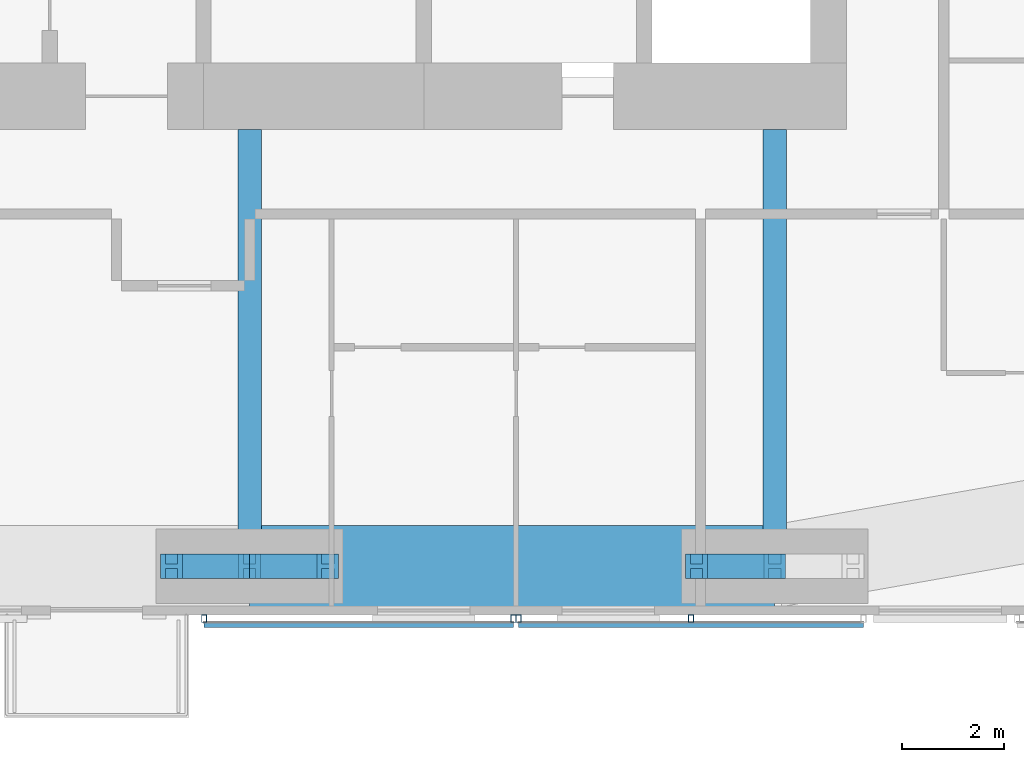
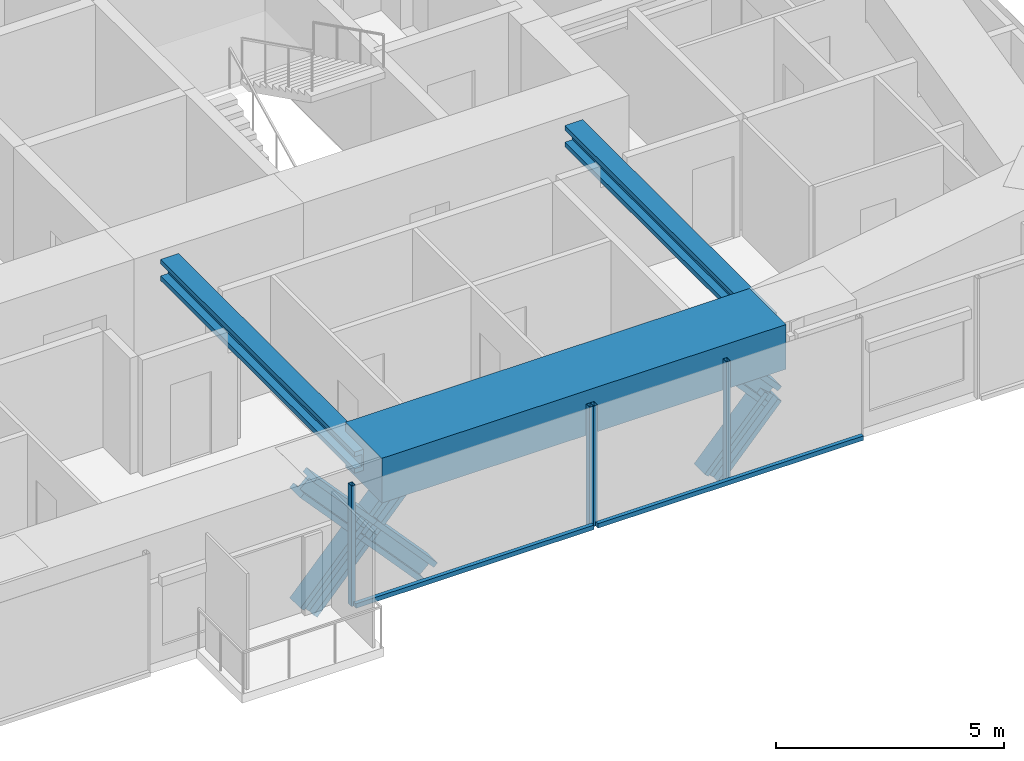
# One storey, part 4 of 23: 12 members, 3 beams, 2 elements without a shape of their own.
"""IFC4 building model written with IfcOpenShell, lengths in metres."""

from ifc_helpers import new_model, si_unit, direction, frame, origin, origin_2d, place, context, subcontext, project, spatial, rectangle, hollow_rectangle, i_section, extrude, material, material_profile, profile_set, type_object, element, aggregate, save


model = new_model("IFC4")

# Units and contexts
model_context = context("Model", 3, precision=1e-05, world=origin(), true_north=direction((0.0, 1.0)))
body_context = subcontext(model_context, "Body", "Model", "MODEL_VIEW")
ifc_project = project(units=[si_unit("LENGTHUNIT", "METRE"), si_unit("AREAUNIT", "SQUARE_METRE"), si_unit("VOLUMEUNIT", "CUBIC_METRE"), si_unit("PLANEANGLEUNIT", "RADIAN"), si_unit("MASSUNIT", "GRAM", prefix="KILO")], contexts=[model_context])

# Site, building, storey
site_placement = place(None, origin())
site = spatial("IfcSite", under=ifc_project, at=site_placement, CompositionType="ELEMENT")
building_placement = place(site_placement, origin())
building = spatial("IfcBuilding", under=site, at=building_placement, Name="Jalousie Tower", CompositionType="ELEMENT")
storey_placement = place(building_placement, frame((0.0, 0.0, 197.89990234375)))
storey = spatial("IfcBuildingStorey", under=building, at=storey_placement, Name="L54", CompositionType="ELEMENT", Elevation=197.89990234375)

# Beams
ifc_material_1 = material(Name="Steel ASTM A992 Grade 50", Category="steel")
ifc_material_profile_1 = material_profile(ifc_material_1, i_section(OverallWidth=0.45458984375, OverallDepth=0.569091796875, WebThickness=0.077880859375, FlangeThickness=0.124755859375, at=origin_2d()), Name="W14X730")
ifc_profile_set_1 = profile_set([ifc_material_profile_1], Name="Steel ASTM A992 Grade 50")
beam_type_1 = type_object("IfcBeamType", Name="LEAN COLLECTOR W14X730", PredefinedType="BEAM", material=ifc_profile_set_1)
for number, where, z_axis, x_axis, name in (
    (1, (32.5, 0.949951171875, 2.82568359375), (0.0, 1.0, 0.0), (-1.0, 0.0, 0.0), "Lean collector under L55"),
    (2, (42.75, 0.949951171875, 2.82568359375), (0.0, 1.0, 0.0), (-1.0, 0.0, 0.0), "Lean collector under L55"),
):
    element("IfcBeam", number, at=place(storey_placement, frame(where, z_axis=z_axis, x_axis=x_axis)), inside=storey, type_object=beam_type_1, Name=name, PredefinedType="BEAM", context=body_context, shape_type="SweptSolid", body=[
        extrude(i_section(OverallWidth=0.45458984375, OverallDepth=0.569091796875, WebThickness=0.077880859375, FlangeThickness=0.124755859375, at=origin_2d()), origin(), (0.0, 0.0, 1.0), 8.525146484375),
    ])

# Members
ifc_material_2 = material(Name="Steel ASTM A992 Grade 50", Category="steel")
ifc_material_profile_2 = material_profile(ifc_material_2, i_section(OverallWidth=0.472412109375, OverallDepth=0.5791015625, WebThickness=0.094970703125, FlangeThickness=0.1298828125, at=origin_2d()), Name="W14X808")
ifc_profile_set_2 = profile_set([ifc_material_profile_2], Name="Steel ASTM A992 Grade 50")
member_type_1 = type_object("IfcMemberType", Name="PERIMETER BRACE W14X808", PredefinedType="BRACE", material=ifc_profile_set_2)
for number, where, z_axis, x_axis, name in (
    (3, (30.97509765625, 0.949951171875, -0.599853515625), (0.673187629365, 0.0, 0.739471713908), (0.0, 1.0, 0.0), "Perimeter brace 03 L54 part 1"),
    (4, (32.5, 0.949951171875, 1.0751953125), (0.673241284601, 0.0, 0.739422864611), (0.0, 1.0, 0.0), "Perimeter brace 03 L54 part 2"),
    (5, (34.02490234375, 0.949951171875, -0.599853515625), (-0.673187629365, 0.0, 0.739471713908), (0.0, -1.0, 0.0), "Perimeter brace 03 L54 part 3"),
    (6, (32.5, 0.949951171875, 1.0751953125), (-0.673241284601, 0.0, 0.739422864611), (0.0, -1.0, 0.0), "Perimeter brace 03 L54 part 4"),
    (7, (41.22509765625, 0.949951171875, -0.599853515625), (0.673187629365, 0.0, 0.739471713908), (0.0, 1.0, 0.0), "Perimeter brace 04 L54 part 1"),
    (8, (42.75, 0.949951171875, 1.0751953125), (-0.673241284601, 0.0, 0.739422864611), (0.0, -1.0, 0.0), "Perimeter brace 04 L54 part 4"),
):
    element("IfcMember", number, at=place(storey_placement, frame(where, z_axis=z_axis, x_axis=x_axis)), inside=storey, type_object=member_type_1, Name=name, PredefinedType="BRACE", context=body_context, shape_type="SweptSolid", body=[
        extrude(i_section(OverallWidth=0.472412109375, OverallDepth=0.5791015625, WebThickness=0.094970703125, FlangeThickness=0.1298828125, at=origin_2d()), origin(), (0.0, 0.0, 1.0), 2.26513671875),
    ])

# Beam
ifc_material_3 = material(Name="Concrete f'c 40 MPa", Category="concrete")
ifc_material_profile_3 = material_profile(ifc_material_3, rectangle(XDim=1.60009765625, YDim=1.199951171875, at=origin_2d()), Name="RC 1600x1200")
ifc_profile_set_3 = profile_set([ifc_material_profile_3], Name="Concrete f'c 40 MPa")
beam_type_2 = type_object("IfcBeamType", Name="RC BEAM 1600x1200", PredefinedType="BEAM", material=ifc_profile_set_3)
beam_placement = place(storey_placement, frame((32.5, 0.949951171875, 2.75), z_axis=(1.0, 0.0, 0.0), x_axis=(0.0, 1.0, 0.0)))
element("IfcBeam", 9, at=beam_placement, inside=storey, type_object=beam_type_2, Name="Edge band beam 03-04 under L55", PredefinedType="BEAM", context=body_context, shape_type="SweptSolid", body=[
    extrude(rectangle(XDim=1.60009765625, YDim=1.199951171875, at=origin_2d()), origin(), (0.0, 0.0, 1.0), 10.25),
])

# Curtain wall, members
ifc_material_4 = material(Name="Perforated aluminium sheet", Category="aluminium")
curtain_wall_type = type_object("IfcCurtainWallType", Name="SOLAR SCREEN SS-1", PredefinedType="USERDEFINED", material=ifc_material_4)
curtain_wall_1_placement = place(storey_placement, origin())
curtain_wall_1 = element("IfcCurtainWall", 10, at=curtain_wall_1_placement, inside=storey, type_object=curtain_wall_type, Name="Solar screen L54", ObjectType="SOLAR SCREEN SS-1", PredefinedType="USERDEFINED")
ifc_material_5 = material(Name="Steel ASTM A500 Grade C", Category="steel")
ifc_material_profile_4 = material_profile(ifc_material_5, hollow_rectangle(XDim=0.1015625, YDim=0.15234375, WallThickness=0.00634765625, at=origin_2d()), Name="HSS6X4X1/4")
ifc_profile_set_4 = profile_set([ifc_material_profile_4], Name="Steel ASTM A500 Grade C")
member_type_2 = type_object("IfcMemberType", Name="SOLAR SCREEN SS-1 MULLION", PredefinedType="MULLION", material=ifc_profile_set_4)
member_1_placement = place(storey_placement, frame((31.612548828125, -0.0712890625, -0.119873046875), z_axis=(0.0, 0.0, 1.0), x_axis=(1.0, 0.0, 0.0)))
member_1 = element("IfcMember", 11, at=member_1_placement, type_object=member_type_2, Name="SS1 post 1", PredefinedType="MULLION", context=body_context, shape_type="SweptSolid", body=[
    extrude(hollow_rectangle(XDim=0.1015625, YDim=0.15234375, WallThickness=0.00634765625, at=origin_2d()), origin(), (0.0, 0.0, 1.0), 3.22998046875),
])
member_2_placement = place(storey_placement, frame((37.64990234375, -0.0712890625, -0.119873046875), z_axis=(0.0, 0.0, 1.0), x_axis=(1.0, 0.0, 0.0)))
member_2 = element("IfcMember", 12, at=member_2_placement, type_object=member_type_2, Name="SS1 post 2", PredefinedType="MULLION", context=body_context, shape_type="SweptSolid", body=[
    extrude(hollow_rectangle(XDim=0.1015625, YDim=0.15234375, WallThickness=0.00634765625, at=origin_2d()), origin(), (0.0, 0.0, 1.0), 3.22998046875),
])

curtain_wall_2_placement = place(storey_placement, origin())
curtain_wall_2 = element("IfcCurtainWall", 13, at=curtain_wall_2_placement, inside=storey, type_object=curtain_wall_type, Name="Solar screen L54", ObjectType="SOLAR SCREEN SS-1", PredefinedType="USERDEFINED")
member_3_placement = place(storey_placement, frame((37.75, -0.0712890625, -0.119873046875), z_axis=(0.0, 0.0, 1.0), x_axis=(1.0, 0.0, 0.0)))
member_3 = element("IfcMember", 14, at=member_3_placement, type_object=member_type_2, Name="SS1 post 1", PredefinedType="MULLION", context=body_context, shape_type="SweptSolid", body=[
    extrude(hollow_rectangle(XDim=0.1015625, YDim=0.15234375, WallThickness=0.00634765625, at=origin_2d()), origin(), (0.0, 0.0, 1.0), 3.22998046875),
])
member_4_placement = place(storey_placement, frame((41.11572265625, -0.0712890625, -0.119873046875), z_axis=(0.0, 0.0, 1.0), x_axis=(1.0, 0.0, 0.0)))
member_4 = element("IfcMember", 15, at=member_4_placement, type_object=member_type_2, Name="SS1 post 2", PredefinedType="MULLION", context=body_context, shape_type="SweptSolid", body=[
    extrude(hollow_rectangle(XDim=0.1015625, YDim=0.15234375, WallThickness=0.00634765625, at=origin_2d()), origin(), (0.0, 0.0, 1.0), 3.22998046875),
])

# Member
ifc_material_6 = material(Name="Extruded aluminium screen rail", Category="aluminium")
ifc_material_profile_5 = material_profile(ifc_material_6, rectangle(XDim=0.1015625, YDim=0.1201171875, at=origin_2d()), Name="RAIL 102x120")
ifc_profile_set_5 = profile_set([ifc_material_profile_5], Name="Extruded aluminium screen rail")
member_type_3 = type_object("IfcMemberType", Name="SOLAR SCREEN SS-1 TRANSOM", PredefinedType="USERDEFINED", material=ifc_profile_set_5)
member_5_placement = place(storey_placement, frame((31.612548828125, -0.1982421875, -0.059814453125), z_axis=(1.0, 0.0, 0.0), x_axis=(0.0, 1.0, 0.0)))
member_5 = element("IfcMember", 16, at=member_5_placement, type_object=member_type_3, Name="SS1 rail", ObjectType="TRANSOM", PredefinedType="USERDEFINED", context=body_context, shape_type="SweptSolid", body=[
    extrude(rectangle(XDim=0.1015625, YDim=0.1201171875, at=origin_2d()), origin(), (0.0, 0.0, 1.0), 6.037353515625),
])

aggregate(curtain_wall_1, [member_1, member_2, member_5])

member_6_placement = place(storey_placement, frame((37.75, -0.1982421875, -0.059814453125), z_axis=(1.0, 0.0, 0.0), x_axis=(0.0, 1.0, 0.0)))
member_6 = element("IfcMember", 17, at=member_6_placement, type_object=member_type_3, Name="SS1 rail", ObjectType="TRANSOM", PredefinedType="USERDEFINED", context=body_context, shape_type="SweptSolid", body=[
    extrude(rectangle(XDim=0.1015625, YDim=0.1201171875, at=origin_2d()), origin(), (0.0, 0.0, 1.0), 6.731201171875),
])

aggregate(curtain_wall_2, [member_3, member_4, member_6])

save(model, "model.ifc")
